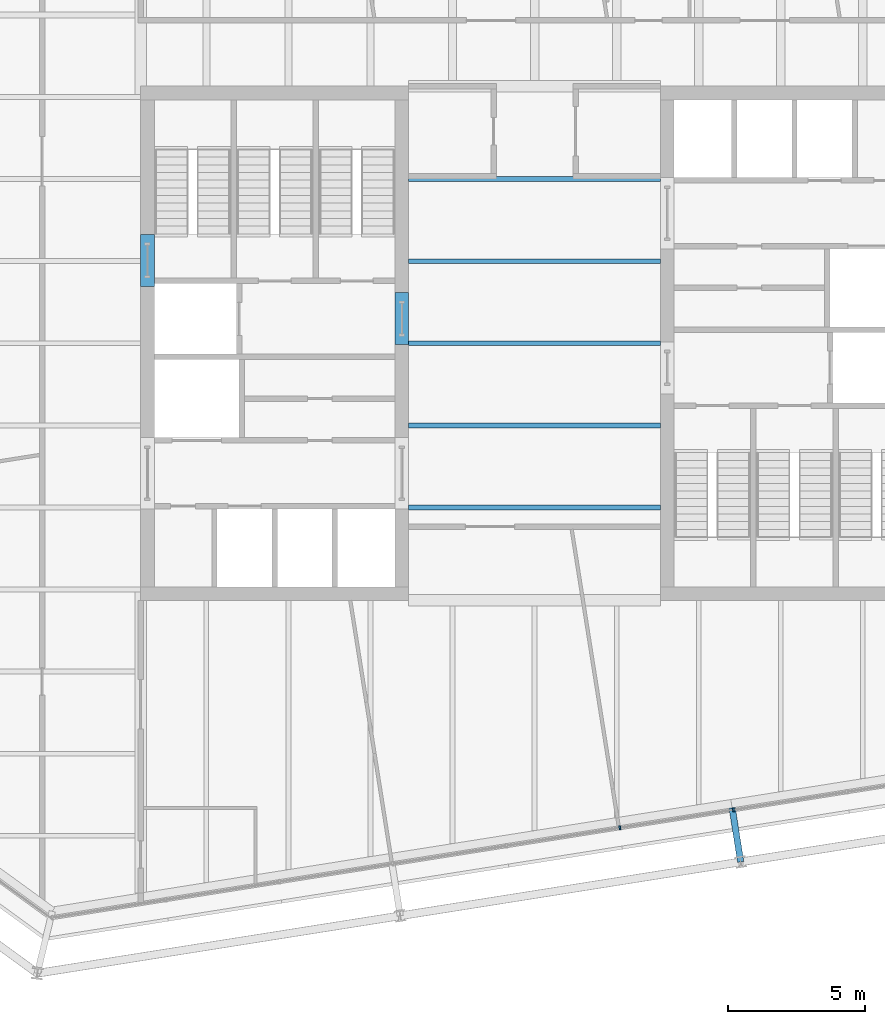
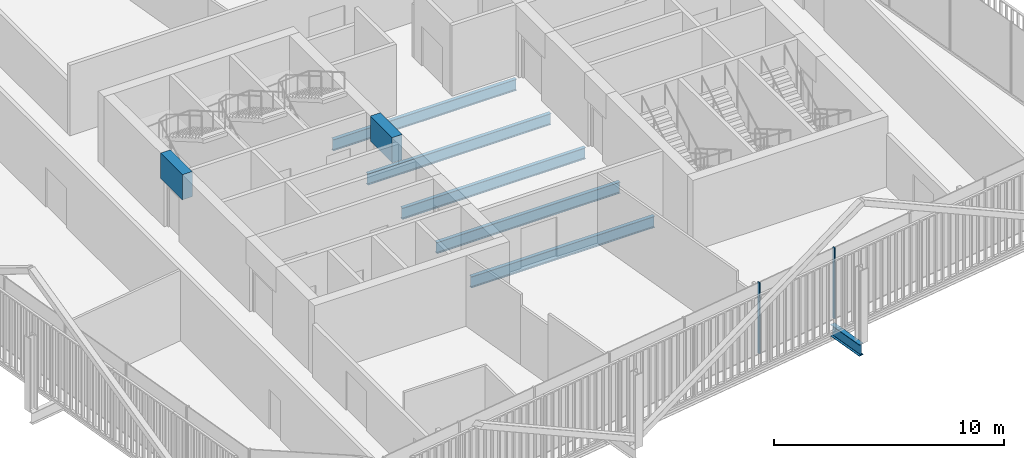
# One storey, part 8 of 21: 8 beams, 2 members, 1 element without a shape of its own.
"""IFC4 building model written with IfcOpenShell, lengths in metres."""

from ifc_helpers import new_model, si_unit, direction, frame, origin, origin_2d, place, context, subcontext, project, spatial, rectangle, i_section, extrude, material, layer, layer_set, material_profile, profile_set, type_object, element, aggregate, save


model = new_model("IFC4")

# Units and contexts
model_context = context("Model", 3, precision=1e-05, world=origin(), true_north=direction((0.0, 1.0)))
body_context = subcontext(model_context, "Body", "Model", "MODEL_VIEW")
ifc_project = project(units=[si_unit("LENGTHUNIT", "METRE"), si_unit("AREAUNIT", "SQUARE_METRE"), si_unit("VOLUMEUNIT", "CUBIC_METRE"), si_unit("PLANEANGLEUNIT", "RADIAN"), si_unit("MASSUNIT", "GRAM", prefix="KILO")], contexts=[model_context])

# Site, building, storey
site_placement = place(None, origin())
site = spatial("IfcSite", under=ifc_project, at=site_placement, CompositionType="ELEMENT")
building_placement = place(site_placement, origin())
building = spatial("IfcBuilding", under=site, at=building_placement, Name="Millrace Tower", CompositionType="ELEMENT")
storey_placement = place(building_placement, frame((0.0, 0.0, 255.199951171875)))
storey = spatial("IfcBuildingStorey", under=building, at=storey_placement, Name="L58", CompositionType="ELEMENT", Elevation=255.199951171875)

# Curtain wall, members
ifc_material_1 = material(Name="Aluminium and glass", Category="aluminium")
ifc_layer = layer(ifc_material_1, 0.14990234375)
ifc_layer_set = layer_set([ifc_layer], Name="Aluminium and glass")
curtain_wall_type = type_object("IfcCurtainWallType", Name="CW-1 office vision curtain wall", PredefinedType="NOTDEFINED", material=ifc_layer_set)
curtain_wall_placement = place(storey_placement, origin())
curtain_wall = element("IfcCurtainWall", 1, at=curtain_wall_placement, inside=storey, type_object=curtain_wall_type, Name="Curtain wall D-F02 L58", PredefinedType="NOTDEFINED")
ifc_material_2 = material(Name="Aluminium", Category="aluminium")
ifc_material_profile_1 = material_profile(ifc_material_2, rectangle(XDim=0.06494140625, YDim=0.14990234375, at=origin_2d()))
ifc_profile_set_1 = profile_set([ifc_material_profile_1], Name="Aluminium")
member_type = type_object("IfcMemberType", Name="CW-1 office vision curtain wall mullion", PredefinedType="MULLION", material=ifc_profile_set_1)
member_1_placement = place(storey_placement, frame((3.115966796875, -17.707275390625, 0.14013671875), z_axis=(0.0, 0.0, 1.0), x_axis=(0.987688339511, 0.156434471884, 0.0)))
member_1 = element("IfcMember", 2, at=member_1_placement, type_object=member_type, Name="CW1 mullion D-F02.6", PredefinedType="MULLION", context=body_context, shape_type="SweptSolid", body=[
    extrude(rectangle(XDim=0.06494140625, YDim=0.14990234375, at=origin_2d()), origin(), (0.0, 0.0, 1.0), 3.760009765625),
])
member_2_placement = place(storey_placement, frame((7.26416015625, -17.05029296875, 0.14013671875), z_axis=(0.0, 0.0, 1.0), x_axis=(0.987688339511, 0.156434471884, 0.0)))
member_2 = element("IfcMember", 3, at=member_2_placement, type_object=member_type, Name="CW1 mullion D-F02.7", PredefinedType="MULLION", context=body_context, shape_type="SweptSolid", body=[
    extrude(rectangle(XDim=0.06494140625, YDim=0.14990234375, at=origin_2d()), origin(), (0.0, 0.0, 1.0), 3.760009765625),
])
aggregate(curtain_wall, [member_1, member_2])

# Beams
ifc_material_3 = material(Name="Concrete C60", Category="concrete")
ifc_material_profile_2 = material_profile(ifc_material_3, rectangle(XDim=0.5, YDim=1.340087890625, at=origin_2d()))
ifc_profile_set_2 = profile_set([ifc_material_profile_2], Name="Concrete C60")
beam_type_1 = type_object("IfcBeamType", Name="Coupling beam 500 x 1340 Concrete C60, 1300 opening", PredefinedType="BEAM", material=ifc_profile_set_2)
beam_1_placement = place(storey_placement, frame((-14.14990234375, 2.080078125, 3.070068359375), z_axis=(0.0, 1.0, 0.0), x_axis=(-1.0, 0.0, 0.0)))
element("IfcBeam", 4, at=beam_1_placement, inside=storey, type_object=beam_type_1, Name="Coupling beam W L58", PredefinedType="BEAM", context=body_context, shape_type="SweptSolid", body=[
    extrude(rectangle(XDim=0.5, YDim=1.340087890625, at=origin_2d()), origin(), (0.0, 0.0, 1.0), 1.89990234375),
])
beam_2_placement = place(storey_placement, frame((-4.85009765625, -0.050048828125, 3.070068359375), z_axis=(0.0, 1.0, 0.0), x_axis=(-1.0, 0.0, 0.0)))
element("IfcBeam", 5, at=beam_2_placement, inside=storey, type_object=beam_type_1, Name="Coupling beam W L58", PredefinedType="BEAM", context=body_context, shape_type="SweptSolid", body=[
    extrude(rectangle(XDim=0.5, YDim=1.340087890625, at=origin_2d()), origin(), (0.0, 0.0, 1.0), 1.900146484375),
])
ifc_material_4 = material(Name="Steel ASTM A992 Grade 50", Category="steel")
ifc_material_profile_3 = material_profile(ifc_material_4, i_section(OverallWidth=0.177978515625, OverallDepth=0.599365234375, WebThickness=0.010009765625, FlangeThickness=0.012939453125, FilletRadius=0.012939453125, at=origin_2d()))
ifc_profile_set_3 = profile_set([ifc_material_profile_3], Name="Steel ASTM A992 Grade 50")
beam_type_2 = type_object("IfcBeamType", Name="Floor beam W24x55", PredefinedType="JOIST", material=ifc_profile_set_3)
for number, where, z_axis, x_axis, name in (
    (6, (-4.60009765625, -6.0, -0.459716796875), (1.0, 0.0, 0.0), (0.0, 1.0, 0.0), "BM-D-L58-S1-S008"),
    (7, (-4.60009765625, -3.0, -0.459716796875), (1.0, 0.0, 0.0), (0.0, 1.0, 0.0), "BM-D-L58-S1-S011"),
    (8, (-4.60009765625, 0.0, -0.459716796875), (1.0, 0.0, 0.0), (0.0, 1.0, 0.0), "BM-D-L58-S1-S014"),
    (9, (-4.60009765625, 3.0, -0.459716796875), (1.0, 0.0, 0.0), (0.0, 1.0, 0.0), "BM-D-L58-S1-S017"),
    (10, (-4.60009765625, 6.0, -0.459716796875), (1.0, 0.0, 0.0), (0.0, 1.0, 0.0), "BM-D-L58-S1-S020"),
):
    element("IfcBeam", number, at=place(storey_placement, frame(where, z_axis=z_axis, x_axis=x_axis)), inside=storey, type_object=beam_type_2, Name=name, PredefinedType="JOIST", context=body_context, shape_type="SweptSolid", body=[
        extrude(i_section(OverallWidth=0.177978515625, OverallDepth=0.599365234375, WebThickness=0.010009765625, FlangeThickness=0.012939453125, FilletRadius=0.012939453125, at=origin_2d()), origin(), (0.0, 0.0, 1.0), 9.2001953125),
    ])
ifc_material_5 = material(Name="Steel ASTM A992 Grade 50", Category="steel")
ifc_material_profile_4 = material_profile(ifc_material_5, i_section(OverallWidth=0.23046875, OverallDepth=0.6171875, WebThickness=0.01318359375, FlangeThickness=0.022216796875, FilletRadius=0.012939453125, at=origin_2d()))
ifc_profile_set_4 = profile_set([ifc_material_profile_4], Name="Steel ASTM A992 Grade 50")
beam_type_3 = type_object("IfcBeamType", Name="Link beam W24x94", PredefinedType="BEAM", material=ifc_profile_set_4)
beam_3_placement = place(storey_placement, frame((7.220458984375, -16.981201171875, -0.468505859375), z_axis=(0.156357438014, -0.987700537399, 0.0), x_axis=(0.987700537399, 0.156357438014, 0.0)))
element("IfcBeam", 11, at=beam_3_placement, inside=storey, type_object=beam_type_3, Name="LNK-D-L58-S1-14", PredefinedType="BEAM", context=body_context, shape_type="SweptSolid", body=[
    extrude(i_section(OverallWidth=0.23046875, OverallDepth=0.6171875, WebThickness=0.01318359375, FlangeThickness=0.022216796875, FilletRadius=0.012939453125, at=origin_2d()), origin(), (0.0, 0.0, 1.0), 2.000244140625),
])

save(model, "model.ifc")
